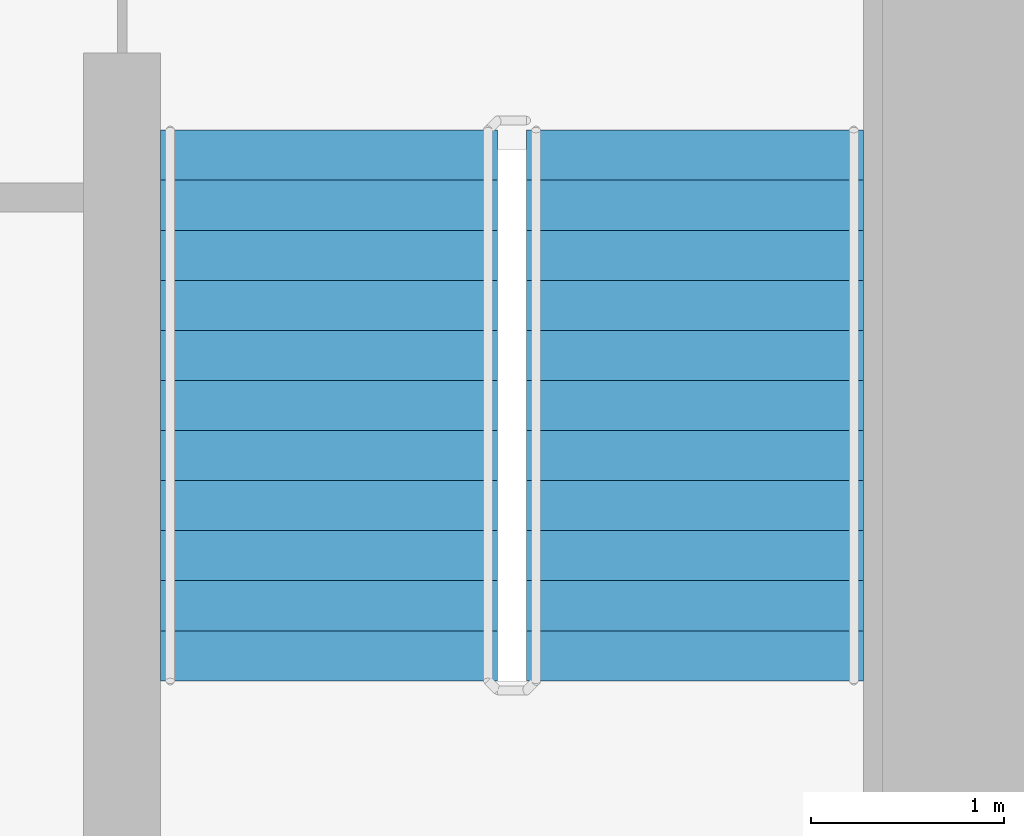
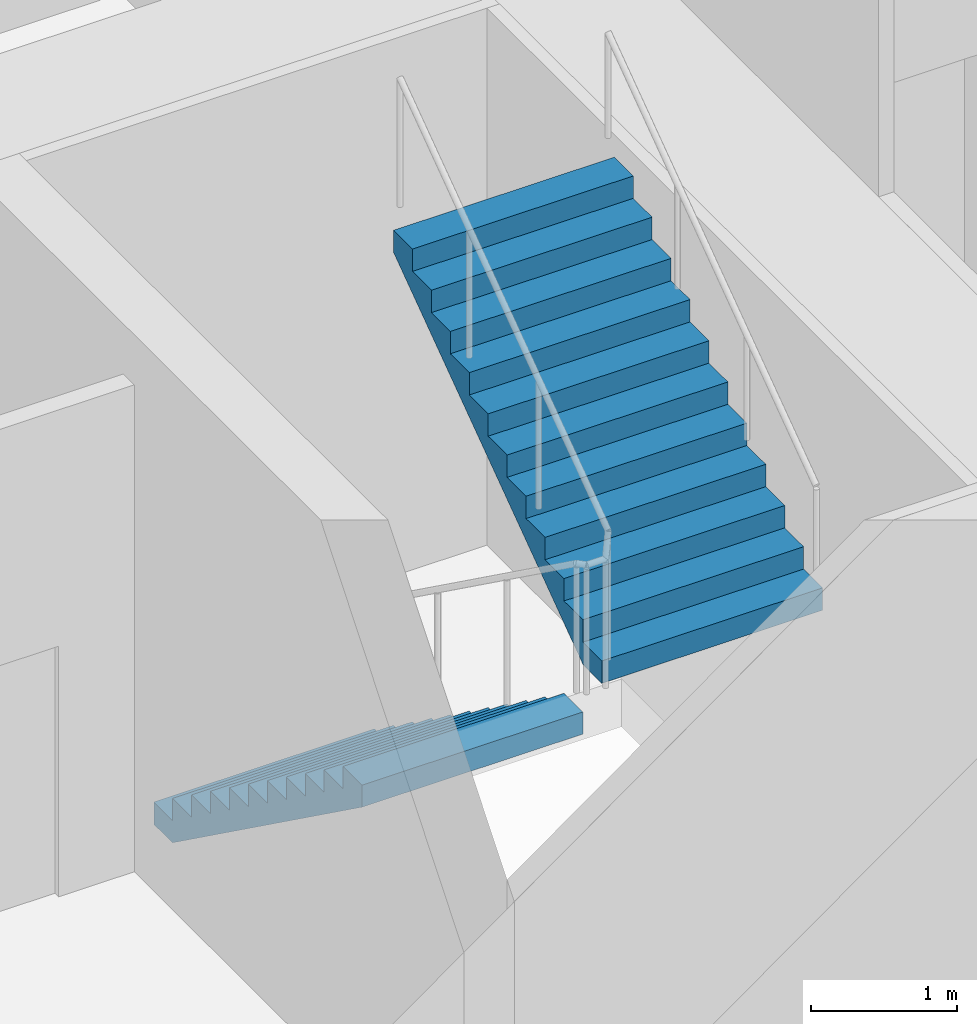
# One storey, part 21 of 27: 2 stair flights, 1 element without a shape of its own.
"""IFC4 building model written with IfcOpenShell, lengths in metres."""

import ifcopenshell
import ifcopenshell.guid

model = None  # the IFC model being written
_history = None  # IfcOwnerHistory: only IFC2X3 demands one
_inside = {}  # id of a spatial element -> (the spatial element, [elements in it])
_under = {}  # id of a project, library or spatial element -> (it, [spatial elements below it])
_declared = {}  # id of a project -> (the project, [libraries it declares])
_typed = {}  # id of a type object -> (the type object, [elements of that type])
_made_of = {}  # id of a material, layer set ... -> (it, [elements and type objects made of it])


def new_model(schema):
    """Start an empty IFC model of exactly this schema.

    Asked for "IFC4X3", IfcOpenShell would pick the latest addendum, in which some entities
    have other attributes; the version numbers below select the first issue.
    IFC2X3 requires an IfcOwnerHistory on every rooted entity: one is made here for all.
    """
    global model, _history
    if schema == "IFC4X3":
        model = ifcopenshell.file(schema_version=(4, 3, 0, 0))
    else:
        model = ifcopenshell.file(schema=schema)
    _inside.clear()
    _under.clear()
    _declared.clear()
    _typed.clear()
    _made_of.clear()
    _history = None
    if model.schema == "IFC2X3":
        org = make("IfcOrganization", Name="unknown")
        user = make(
            "IfcPersonAndOrganization",
            ThePerson=make("IfcPerson", FamilyName="unknown"),
            TheOrganization=org,
        )
        app = make(
            "IfcApplication",
            ApplicationDeveloper=org,
            Version="unknown",
            ApplicationFullName="unknown",
            ApplicationIdentifier="unknown",
        )
        _history = make(
            "IfcOwnerHistory",
            OwningUser=user,
            OwningApplication=app,
            ChangeAction="ADDED",
            CreationDate=0,
        )
    return model


def make(cls, **values):
    """One entity of the class cls with the attributes given. An attribute that is None is left unset."""
    return model.create_entity(
        cls, **{name: value for name, value in values.items() if value is not None}
    )


def rooted(cls, **values):
    """An entity with a GlobalId (a new one), such as an element, a storey or a relation."""
    return make(cls, GlobalId=ifcopenshell.guid.new(), OwnerHistory=_history, **values)


def si_unit(unit_type, name, prefix=None):
    """IfcSIUnit, for example si_unit("LENGTHUNIT", "METRE", prefix="MILLI")."""
    return make("IfcSIUnit", UnitType=unit_type, Prefix=prefix, Name=name)


def assignment(units):
    """IfcUnitAssignment: the units of a project."""
    return None if units is None else make("IfcUnitAssignment", Units=units)


def point(xyz):
    """IfcCartesianPoint."""
    return None if xyz is None else make("IfcCartesianPoint", Coordinates=xyz)


def direction(xyz):
    """IfcDirection."""
    return None if xyz is None else make("IfcDirection", DirectionRatios=xyz)


def frame(location, z_axis=None, x_axis=None):
    """IfcAxis2Placement3D, a coordinate frame: its origin and axes. An axis left out is left unset."""
    return make(
        "IfcAxis2Placement3D",
        Location=point(location),
        Axis=direction(z_axis),
        RefDirection=direction(x_axis),
    )


def origin():
    """The frame at (0, 0, 0) with its axes left unset."""
    return frame((0.0, 0.0, 0.0))


def place(relative_to, where):
    """IfcLocalPlacement: puts the frame where relative to a parent placement (None: the world)."""
    return make(
        "IfcLocalPlacement", PlacementRelTo=relative_to, RelativePlacement=where
    )


def context(
    kind, dimensions, precision=None, world=None, true_north=None, identifier=None
):
    """IfcGeometricRepresentationContext, for example the 3D "Model" context."""
    return make(
        "IfcGeometricRepresentationContext",
        ContextIdentifier=identifier,
        ContextType=kind,
        CoordinateSpaceDimension=dimensions,
        Precision=precision,
        WorldCoordinateSystem=world,
        TrueNorth=true_north,
    )


def subcontext(parent, identifier, kind, view, scale=None):
    """IfcGeometricRepresentationSubContext, for example "Body" below "Model"."""
    return make(
        "IfcGeometricRepresentationSubContext",
        ContextIdentifier=identifier,
        ContextType=kind,
        ParentContext=parent,
        TargetScale=scale,
        TargetView=view,
    )


def project(units=None, contexts=None):
    """IfcProject with its units and contexts."""
    return rooted(
        "IfcProject",
        Name="project",
        RepresentationContexts=contexts,
        UnitsInContext=assignment(units),
    )


def spatial(cls, under=None, at=None, **own):
    """A site, building, storey or space (cls), placed at a placement, below another one or the project."""
    s = rooted(cls, ObjectPlacement=at, **own)
    if under is not None:
        _under.setdefault(under.id(), (under, []))[1].append(s)
    return s


def faces_of(points, faces, orient=None, outer=None):
    """IfcFace entities. A face is a list of loops; a loop is a list of indices into points, from 0.

    orient and outer hold one flag for each loop. By default every Orientation is true, the
    first loop of a face is its IfcFaceOuterBound and the others are IfcFaceBound.
    """
    made = []
    for i, loops in enumerate(faces):
        bounds = []
        for j, loop in enumerate(loops):
            is_outer = j == 0 if outer is None else outer[i][j]
            bounds.append(
                make(
                    "IfcFaceOuterBound" if is_outer else "IfcFaceBound",
                    Bound=make("IfcPolyLoop", Polygon=[points[k] for k in loop]),
                    Orientation=True if orient is None else orient[i][j],
                )
            )
        made.append(make("IfcFace", Bounds=bounds))
    return made


def faceted_brep(points, faces, orient=None, outer=None, voids=None):
    """IfcFacetedBrep: a solid bounded by flat faces; with voids (closed shells), ...WithVoids."""
    shared = [point(p) for p in points]
    hull = make("IfcClosedShell", CfsFaces=faces_of(shared, faces, orient, outer))
    if voids is None:
        return make("IfcFacetedBrep", Outer=hull)
    return make(
        "IfcFacetedBrepWithVoids",
        Outer=hull,
        Voids=[
            make(cls, CfsFaces=faces_of(shared, fs, o, b)) for cls, fs, o, b in voids
        ],
    )


def shape(context_of_items, identifier, shape_type, items):
    """IfcShapeRepresentation: the items that make up one representation, for example the "Body"."""
    return make(
        "IfcShapeRepresentation",
        ContextOfItems=context_of_items,
        RepresentationIdentifier=identifier,
        RepresentationType=shape_type,
        Items=items,
    )


def material(Name=None, Category=None):
    """IfcMaterial."""
    return make("IfcMaterial", Name=Name, Category=Category)


def made_of(thing, what):
    """Note that an element or type object is made of a material, layer set ...; save() writes the relation."""
    if what is not None:
        _made_of.setdefault(what.id(), (what, []))[1].append(thing)
    return thing


def type_object(cls, material=None, **own):
    """A type object (cls), such as IfcWallType, which elements share."""
    return made_of(rooted(cls, **own), material)


def element(
    cls,
    number,
    at=None,
    inside=None,
    cuts=None,
    type_object=None,
    material=None,
    context=None,
    identifier="Body",
    shape_type=None,
    held_by="IfcProductDefinitionShape",
    body=None,
    shapes=None,
    **own,
):
    """One element of the class cls, such as IfcWall. Its Tag is "e" and its number.

    at: its placement. inside: the storey or other place that contains it. cuts: it is an
    opening in that element (IfcRelVoidsElement). A single representation is given by context,
    identifier, shape_type and body (its items); several are given by shapes. held_by: the class
    of the entity that holds the representations. save() writes the other relations.
    """
    e = rooted(cls, Tag="e%d" % number, ObjectPlacement=at, **own)
    if body is not None:
        shapes = [shape(context, identifier, shape_type, body)]
    if shapes is not None:
        e.Representation = make(held_by, Representations=shapes)
    if inside is not None:
        _inside.setdefault(inside.id(), (inside, []))[1].append(e)
    if cuts is not None:
        rooted(
            "IfcRelVoidsElement", RelatingBuildingElement=cuts, RelatedOpeningElement=e
        )
    if type_object is not None:
        _typed.setdefault(type_object.id(), (type_object, []))[1].append(e)
    return made_of(e, material)


def aggregate(whole, parts):
    """IfcRelAggregates: a whole, such as a stair, and the parts it consists of."""
    return rooted("IfcRelAggregates", RelatingObject=whole, RelatedObjects=parts)


def save(model, path):
    """Write the relations noted so far, then the file.

    IfcRelAggregates (storeys below a building ...), IfcRelContainedInSpatialStructure (elements
    in a storey), IfcRelDefinesByType, IfcRelAssociatesMaterial and IfcRelDeclares: one each for
    every whole, place, type object, material and project.
    """
    for whole, parts in _under.values():
        aggregate(whole, parts)
    for where, things in _inside.values():
        rooted(
            "IfcRelContainedInSpatialStructure",
            RelatedElements=things,
            RelatingStructure=where,
        )
    for kind, things in _typed.values():
        rooted("IfcRelDefinesByType", RelatedObjects=things, RelatingType=kind)
    for what, things in _made_of.values():
        rooted("IfcRelAssociatesMaterial", RelatedObjects=things, RelatingMaterial=what)
    for by, libraries in _declared.values():
        rooted("IfcRelDeclares", RelatingContext=by, RelatedDefinitions=libraries)
    model.write(path)


model = new_model("IFC4")

# Units and contexts
model_context = context("Model", 3, precision=1e-05, world=origin(), true_north=direction((0.0, 1.0)))
body_context = subcontext(model_context, "Body", "Model", "MODEL_VIEW")
ifc_project = project(units=[si_unit("LENGTHUNIT", "METRE"), si_unit("AREAUNIT", "SQUARE_METRE"), si_unit("VOLUMEUNIT", "CUBIC_METRE"), si_unit("PLANEANGLEUNIT", "RADIAN"), si_unit("MASSUNIT", "GRAM", prefix="KILO")], contexts=[model_context])

# Site, building, storey
site_placement = place(None, origin())
site = spatial("IfcSite", under=ifc_project, at=site_placement, CompositionType="ELEMENT")
building_placement = place(site_placement, origin())
building = spatial("IfcBuilding", under=site, at=building_placement, Name="Ipe Terrace Towers", CompositionType="ELEMENT")
storey_placement = place(building_placement, frame((0.0, 0.0, 72.10009765625)))
storey = spatial("IfcBuildingStorey", under=building, at=storey_placement, Name="L19", CompositionType="ELEMENT", Elevation=72.10009765625)

# Stair, stair flights
ifc_material_1 = material(Name="Concrete C30/37", Category="concrete")
stair_type = type_object("IfcStairType", Name="Protected exit stair", PredefinedType="HALF_TURN_STAIR", material=ifc_material_1)
stair_placement = place(storey_placement, origin())
stair = element("IfcStair", 1, at=stair_placement, inside=storey, type_object=stair_type, Name="L19 Exit stair T2-C2", PredefinedType="HALF_TURN_STAIR")
ifc_material_2 = material(Name="Concrete C30/37", Category="concrete")
stair_flight_type = type_object("IfcStairFlightType", Name="Exit stair flight 1750", PredefinedType="STRAIGHT", material=ifc_material_2)
stair_flight_1_placement = place(storey_placement, frame((38.77490234375, -9.699951171875, 0.0), z_axis=(0.0, 0.0, 1.0), x_axis=(0.0, -1.0, 0.0)))
stair_flight_1 = element("IfcStairFlight", 2, at=stair_flight_1_placement, type_object=stair_flight_type, Name="T2-ST2 flight 1", NumberOfRisers=12, NumberOfTreads=11, PredefinedType="STRAIGHT", RiserHeight=0.1875, TreadLength=0.26, context=body_context, shape_type="Brep", body=[
    faceted_brep([(0.25634765625, -0.875, 0.0), (2.860107421875, -0.875, 1.877685546875), (2.860107421875, -0.875, 2.0625), (2.60009765625, -0.875, 2.0625), (2.60009765625, -0.875, 1.875), (2.340087890625, -0.875, 1.875), (2.340087890625, -0.875, 1.6875), (2.080078125, -0.875, 1.6875), (2.080078125, -0.875, 1.5), (1.820068359375, -0.875, 1.5), (1.820068359375, -0.875, 1.3125), (1.56005859375, -0.875, 1.3125), (1.56005859375, -0.875, 1.125), (1.300048828125, -0.875, 1.125), (1.300048828125, -0.875, 0.9375), (1.0400390625, -0.875, 0.9375), (1.0400390625, -0.875, 0.75), (0.780029296875, -0.875, 0.75), (0.780029296875, -0.875, 0.5625), (0.52001953125, -0.875, 0.5625), (0.52001953125, -0.875, 0.375), (0.260009765625, -0.875, 0.375), (0.260009765625, -0.875, 0.1875), (0.0, -0.875, 0.1875), (0.0, -0.875, 0.0), (0.0, 0.875, 0.0), (0.0, 0.875, 0.1875), (0.260009765625, 0.875, 0.1875), (0.260009765625, 0.875, 0.375), (0.52001953125, 0.875, 0.375), (0.52001953125, 0.875, 0.5625), (0.780029296875, 0.875, 0.5625), (0.780029296875, 0.875, 0.75), (1.0400390625, 0.875, 0.75), (1.0400390625, 0.875, 0.9375), (1.300048828125, 0.875, 0.9375), (1.300048828125, 0.875, 1.125), (1.56005859375, 0.875, 1.125), (1.56005859375, 0.875, 1.3125), (1.820068359375, 0.875, 1.3125), (1.820068359375, 0.875, 1.5), (2.080078125, 0.875, 1.5), (2.080078125, 0.875, 1.6875), (2.340087890625, 0.875, 1.6875), (2.340087890625, 0.875, 1.875), (2.60009765625, 0.875, 1.875), (2.60009765625, 0.875, 2.0625), (2.860107421875, 0.875, 2.0625), (2.860107421875, 0.875, 1.877685546875), (0.25634765625, 0.875, 0.0), (0.0, -0.300048828125, 0.1875), (0.0, -0.1201171875, 0.1875), (0.0, -0.06005859375, 0.1875), (0.0, -0.030029296875, 0.1875), (0.0, -0.010009765625, 0.1875), (0.0, 0.0, 0.1875), (0.0, 0.010009765625, 0.1875), (0.0, 0.030029296875, 0.1875), (0.0, 0.06005859375, 0.1875), (0.0, 0.1201171875, 0.1875), (0.0, 0.300048828125, 0.1875), (0.0, 0.300048828125, 0.0), (0.0, 0.1201171875, 0.0), (0.0, 0.06005859375, 0.0), (0.0, 0.030029296875, 0.0), (0.0, 0.010009765625, 0.0), (0.0, 0.0, 0.0), (0.0, -0.010009765625, 0.0), (0.0, -0.030029296875, 0.0), (0.0, -0.06005859375, 0.0), (0.0, -0.1201171875, 0.0), (0.0, -0.300048828125, 0.0), (0.260009765625, -0.300048828125, 0.1875), (0.260009765625, -0.1201171875, 0.1875), (0.260009765625, -0.06005859375, 0.1875), (0.260009765625, -0.030029296875, 0.1875), (0.260009765625, -0.010009765625, 0.1875), (0.260009765625, 0.0, 0.1875), (0.260009765625, 0.010009765625, 0.1875), (0.260009765625, 0.030029296875, 0.1875), (0.260009765625, 0.06005859375, 0.1875), (0.260009765625, 0.1201171875, 0.1875), (0.260009765625, 0.300048828125, 0.1875), (0.260009765625, -0.300048828125, 0.375), (0.260009765625, -0.1201171875, 0.375), (0.260009765625, -0.06005859375, 0.375), (0.260009765625, -0.030029296875, 0.375), (0.260009765625, -0.010009765625, 0.375), (0.260009765625, 0.0, 0.375), (0.260009765625, 0.010009765625, 0.375), (0.260009765625, 0.030029296875, 0.375), (0.260009765625, 0.06005859375, 0.375), (0.260009765625, 0.1201171875, 0.375), (0.260009765625, 0.300048828125, 0.375), (0.52001953125, -0.300048828125, 0.375), (0.52001953125, -0.1201171875, 0.375), (0.52001953125, -0.06005859375, 0.375), (0.52001953125, -0.030029296875, 0.375), (0.52001953125, -0.010009765625, 0.375), (0.52001953125, 0.0, 0.375), (0.52001953125, 0.010009765625, 0.375), (0.52001953125, 0.030029296875, 0.375), (0.52001953125, 0.06005859375, 0.375), (0.52001953125, 0.1201171875, 0.375), (0.52001953125, 0.300048828125, 0.375), (0.52001953125, -0.300048828125, 0.5625), (0.52001953125, -0.1201171875, 0.5625), (0.52001953125, -0.06005859375, 0.5625), (0.52001953125, -0.030029296875, 0.5625), (0.52001953125, -0.010009765625, 0.5625), (0.52001953125, 0.0, 0.5625), (0.52001953125, 0.010009765625, 0.5625), (0.52001953125, 0.030029296875, 0.5625), (0.52001953125, 0.06005859375, 0.5625), (0.52001953125, 0.1201171875, 0.5625), (0.52001953125, 0.300048828125, 0.5625), (0.780029296875, -0.300048828125, 0.5625), (0.780029296875, -0.1201171875, 0.5625), (0.780029296875, -0.06005859375, 0.5625), (0.780029296875, -0.030029296875, 0.5625), (0.780029296875, -0.010009765625, 0.5625), (0.780029296875, 0.0, 0.5625), (0.780029296875, 0.010009765625, 0.5625), (0.780029296875, 0.030029296875, 0.5625), (0.780029296875, 0.06005859375, 0.5625), (0.780029296875, 0.1201171875, 0.5625), (0.780029296875, 0.300048828125, 0.5625), (0.780029296875, -0.300048828125, 0.75), (0.780029296875, -0.1201171875, 0.75), (0.780029296875, -0.06005859375, 0.75), (0.780029296875, -0.030029296875, 0.75), (0.780029296875, -0.010009765625, 0.75), (0.780029296875, 0.0, 0.75), (0.780029296875, 0.010009765625, 0.75), (0.780029296875, 0.030029296875, 0.75), (0.780029296875, 0.06005859375, 0.75), (0.780029296875, 0.1201171875, 0.75), (0.780029296875, 0.300048828125, 0.75), (1.0400390625, -0.300048828125, 0.75), (1.0400390625, -0.1201171875, 0.75), (1.0400390625, -0.06005859375, 0.75), (1.0400390625, -0.030029296875, 0.75), (1.0400390625, -0.010009765625, 0.75), (1.0400390625, 0.0, 0.75), (1.0400390625, 0.010009765625, 0.75), (1.0400390625, 0.030029296875, 0.75), (1.0400390625, 0.06005859375, 0.75), (1.0400390625, 0.1201171875, 0.75), (1.0400390625, 0.300048828125, 0.75), (1.0400390625, -0.300048828125, 0.9375), (1.0400390625, -0.1201171875, 0.9375), (1.0400390625, -0.06005859375, 0.9375), (1.0400390625, -0.030029296875, 0.9375), (1.0400390625, -0.010009765625, 0.9375), (1.0400390625, 0.0, 0.9375), (1.0400390625, 0.010009765625, 0.9375), (1.0400390625, 0.030029296875, 0.9375), (1.0400390625, 0.06005859375, 0.9375), (1.0400390625, 0.1201171875, 0.9375), (1.0400390625, 0.300048828125, 0.9375), (1.300048828125, -0.300048828125, 0.9375), (1.300048828125, -0.1201171875, 0.9375), (1.300048828125, -0.06005859375, 0.9375), (1.300048828125, -0.030029296875, 0.9375), (1.300048828125, -0.010009765625, 0.9375), (1.300048828125, 0.0, 0.9375), (1.300048828125, 0.010009765625, 0.9375), (1.300048828125, 0.030029296875, 0.9375), (1.300048828125, 0.06005859375, 0.9375), (1.300048828125, 0.1201171875, 0.9375), (1.300048828125, 0.300048828125, 0.9375), (1.300048828125, -0.300048828125, 1.125), (1.300048828125, -0.1201171875, 1.125), (1.300048828125, -0.06005859375, 1.125), (1.300048828125, -0.030029296875, 1.125), (1.300048828125, -0.010009765625, 1.125), (1.300048828125, 0.0, 1.125), (1.300048828125, 0.010009765625, 1.125), (1.300048828125, 0.030029296875, 1.125), (1.300048828125, 0.06005859375, 1.125), (1.300048828125, 0.1201171875, 1.125), (1.300048828125, 0.300048828125, 1.125), (1.56005859375, -0.300048828125, 1.125), (1.56005859375, -0.1201171875, 1.125), (1.56005859375, -0.06005859375, 1.125), (1.56005859375, -0.030029296875, 1.125), (1.56005859375, -0.010009765625, 1.125), (1.56005859375, 0.0, 1.125), (1.56005859375, 0.010009765625, 1.125), (1.56005859375, 0.030029296875, 1.125), (1.56005859375, 0.06005859375, 1.125), (1.56005859375, 0.1201171875, 1.125), (1.56005859375, 0.300048828125, 1.125), (1.56005859375, -0.300048828125, 1.3125), (1.56005859375, -0.1201171875, 1.3125), (1.56005859375, -0.06005859375, 1.3125), (1.56005859375, -0.030029296875, 1.3125), (1.56005859375, -0.010009765625, 1.3125), (1.56005859375, 0.0, 1.3125), (1.56005859375, 0.010009765625, 1.3125), (1.56005859375, 0.030029296875, 1.3125), (1.56005859375, 0.06005859375, 1.3125), (1.56005859375, 0.1201171875, 1.3125), (1.56005859375, 0.300048828125, 1.3125), (1.820068359375, -0.300048828125, 1.3125), (1.820068359375, -0.1201171875, 1.3125), (1.820068359375, -0.06005859375, 1.3125), (1.820068359375, -0.030029296875, 1.3125), (1.820068359375, -0.010009765625, 1.3125), (1.820068359375, 0.0, 1.3125), (1.820068359375, 0.010009765625, 1.3125), (1.820068359375, 0.030029296875, 1.3125), (1.820068359375, 0.06005859375, 1.3125), (1.820068359375, 0.1201171875, 1.3125), (1.820068359375, 0.300048828125, 1.3125), (1.820068359375, -0.300048828125, 1.5), (1.820068359375, -0.1201171875, 1.5), (1.820068359375, -0.06005859375, 1.5), (1.820068359375, -0.030029296875, 1.5), (1.820068359375, -0.010009765625, 1.5), (1.820068359375, 0.0, 1.5), (1.820068359375, 0.010009765625, 1.5), (1.820068359375, 0.030029296875, 1.5), (1.820068359375, 0.06005859375, 1.5), (1.820068359375, 0.1201171875, 1.5), (1.820068359375, 0.300048828125, 1.5), (2.080078125, -0.300048828125, 1.5), (2.080078125, -0.1201171875, 1.5), (2.080078125, -0.06005859375, 1.5), (2.080078125, -0.030029296875, 1.5), (2.080078125, -0.010009765625, 1.5), (2.080078125, 0.0, 1.5), (2.080078125, 0.010009765625, 1.5), (2.080078125, 0.030029296875, 1.5), (2.080078125, 0.06005859375, 1.5), (2.080078125, 0.1201171875, 1.5), (2.080078125, 0.300048828125, 1.5), (2.080078125, -0.300048828125, 1.6875), (2.080078125, -0.1201171875, 1.6875), (2.080078125, -0.06005859375, 1.6875), (2.080078125, -0.030029296875, 1.6875), (2.080078125, -0.010009765625, 1.6875), (2.080078125, 0.0, 1.6875), (2.080078125, 0.010009765625, 1.6875), (2.080078125, 0.030029296875, 1.6875), (2.080078125, 0.06005859375, 1.6875), (2.080078125, 0.1201171875, 1.6875), (2.080078125, 0.300048828125, 1.6875), (2.340087890625, -0.300048828125, 1.6875), (2.340087890625, -0.1201171875, 1.6875), (2.340087890625, -0.06005859375, 1.6875), (2.340087890625, -0.030029296875, 1.6875), (2.340087890625, -0.010009765625, 1.6875), (2.340087890625, 0.0, 1.6875), (2.340087890625, 0.010009765625, 1.6875), (2.340087890625, 0.030029296875, 1.6875), (2.340087890625, 0.06005859375, 1.6875), (2.340087890625, 0.1201171875, 1.6875), (2.340087890625, 0.300048828125, 1.6875), (2.340087890625, -0.300048828125, 1.875), (2.340087890625, -0.1201171875, 1.875), (2.340087890625, -0.06005859375, 1.875), (2.340087890625, -0.030029296875, 1.875), (2.340087890625, -0.010009765625, 1.875), (2.340087890625, 0.0, 1.875), (2.340087890625, 0.010009765625, 1.875), (2.340087890625, 0.030029296875, 1.875), (2.340087890625, 0.06005859375, 1.875), (2.340087890625, 0.1201171875, 1.875), (2.340087890625, 0.300048828125, 1.875), (2.60009765625, -0.300048828125, 1.875), (2.60009765625, -0.1201171875, 1.875), (2.60009765625, -0.06005859375, 1.875), (2.60009765625, -0.030029296875, 1.875), (2.60009765625, -0.010009765625, 1.875), (2.60009765625, 0.0, 1.875), (2.60009765625, 0.010009765625, 1.875), (2.60009765625, 0.030029296875, 1.875), (2.60009765625, 0.06005859375, 1.875), (2.60009765625, 0.1201171875, 1.875), (2.60009765625, 0.300048828125, 1.875), (2.60009765625, -0.300048828125, 2.0625), (2.60009765625, -0.1201171875, 2.0625), (2.60009765625, -0.06005859375, 2.0625), (2.60009765625, -0.030029296875, 2.0625), (2.60009765625, -0.010009765625, 2.0625), (2.60009765625, 0.0, 2.0625), (2.60009765625, 0.010009765625, 2.0625), (2.60009765625, 0.030029296875, 2.0625), (2.60009765625, 0.06005859375, 2.0625), (2.60009765625, 0.1201171875, 2.0625), (2.60009765625, 0.300048828125, 2.0625), (2.860107421875, -0.300048828125, 2.0625), (2.860107421875, -0.1201171875, 2.0625), (2.860107421875, -0.06005859375, 2.0625), (2.860107421875, -0.030029296875, 2.0625), (2.860107421875, -0.010009765625, 2.0625), (2.860107421875, 0.0, 2.0625), (2.860107421875, 0.010009765625, 2.0625), (2.860107421875, 0.030029296875, 2.0625), (2.860107421875, 0.06005859375, 2.0625), (2.860107421875, 0.1201171875, 2.0625), (2.860107421875, 0.300048828125, 2.0625), (2.860107421875, -0.300048828125, 1.877685546875), (2.860107421875, -0.1201171875, 1.877685546875), (2.860107421875, -0.06005859375, 1.877685546875), (2.860107421875, -0.030029296875, 1.877685546875), (2.860107421875, -0.010009765625, 1.877685546875), (2.860107421875, 0.0, 1.877685546875), (2.860107421875, 0.010009765625, 1.877685546875), (2.860107421875, 0.030029296875, 1.877685546875), (2.860107421875, 0.06005859375, 1.877685546875), (2.860107421875, 0.1201171875, 1.877685546875), (2.860107421875, 0.300048828125, 1.877685546875), (0.25634765625, -0.300048828125, 0.0), (0.25634765625, -0.1201171875, 0.0), (0.25634765625, -0.06005859375, 0.0), (0.25634765625, -0.030029296875, 0.0), (0.25634765625, -0.010009765625, 0.0), (0.25634765625, 0.0, 0.0), (0.25634765625, 0.010009765625, 0.0), (0.25634765625, 0.030029296875, 0.0), (0.25634765625, 0.06005859375, 0.0), (0.25634765625, 0.1201171875, 0.0), (0.25634765625, 0.300048828125, 0.0)], [[[0, 1, 2, 3, 4, 5, 6, 7, 8, 9, 10, 11, 12, 13, 14, 15, 16, 17, 18, 19, 20, 21, 22, 23, 24]], [[25, 26, 27, 28, 29, 30, 31, 32, 33, 34, 35, 36, 37, 38, 39, 40, 41, 42, 43, 44, 45, 46, 47, 48, 49]], [[23, 50, 51, 52, 53, 54, 55, 56, 57, 58, 59, 60, 26, 25, 61, 62, 63, 64, 65, 66, 67, 68, 69, 70, 71, 24]], [[22, 72, 73, 74, 75, 76, 77, 78, 79, 80, 81, 82, 27, 26, 60, 59, 58, 57, 56, 55, 54, 53, 52, 51, 50, 23]], [[21, 83, 84, 85, 86, 87, 88, 89, 90, 91, 92, 93, 28, 27, 82, 81, 80, 79, 78, 77, 76, 75, 74, 73, 72, 22]], [[20, 94, 95, 96, 97, 98, 99, 100, 101, 102, 103, 104, 29, 28, 93, 92, 91, 90, 89, 88, 87, 86, 85, 84, 83, 21]], [[19, 105, 106, 107, 108, 109, 110, 111, 112, 113, 114, 115, 30, 29, 104, 103, 102, 101, 100, 99, 98, 97, 96, 95, 94, 20]], [[18, 116, 117, 118, 119, 120, 121, 122, 123, 124, 125, 126, 31, 30, 115, 114, 113, 112, 111, 110, 109, 108, 107, 106, 105, 19]], [[17, 127, 128, 129, 130, 131, 132, 133, 134, 135, 136, 137, 32, 31, 126, 125, 124, 123, 122, 121, 120, 119, 118, 117, 116, 18]], [[16, 138, 139, 140, 141, 142, 143, 144, 145, 146, 147, 148, 33, 32, 137, 136, 135, 134, 133, 132, 131, 130, 129, 128, 127, 17]], [[15, 149, 150, 151, 152, 153, 154, 155, 156, 157, 158, 159, 34, 33, 148, 147, 146, 145, 144, 143, 142, 141, 140, 139, 138, 16]], [[14, 160, 161, 162, 163, 164, 165, 166, 167, 168, 169, 170, 35, 34, 159, 158, 157, 156, 155, 154, 153, 152, 151, 150, 149, 15]], [[13, 171, 172, 173, 174, 175, 176, 177, 178, 179, 180, 181, 36, 35, 170, 169, 168, 167, 166, 165, 164, 163, 162, 161, 160, 14]], [[12, 182, 183, 184, 185, 186, 187, 188, 189, 190, 191, 192, 37, 36, 181, 180, 179, 178, 177, 176, 175, 174, 173, 172, 171, 13]], [[11, 193, 194, 195, 196, 197, 198, 199, 200, 201, 202, 203, 38, 37, 192, 191, 190, 189, 188, 187, 186, 185, 184, 183, 182, 12]], [[10, 204, 205, 206, 207, 208, 209, 210, 211, 212, 213, 214, 39, 38, 203, 202, 201, 200, 199, 198, 197, 196, 195, 194, 193, 11]], [[9, 215, 216, 217, 218, 219, 220, 221, 222, 223, 224, 225, 40, 39, 214, 213, 212, 211, 210, 209, 208, 207, 206, 205, 204, 10]], [[8, 226, 227, 228, 229, 230, 231, 232, 233, 234, 235, 236, 41, 40, 225, 224, 223, 222, 221, 220, 219, 218, 217, 216, 215, 9]], [[7, 237, 238, 239, 240, 241, 242, 243, 244, 245, 246, 247, 42, 41, 236, 235, 234, 233, 232, 231, 230, 229, 228, 227, 226, 8]], [[6, 248, 249, 250, 251, 252, 253, 254, 255, 256, 257, 258, 43, 42, 247, 246, 245, 244, 243, 242, 241, 240, 239, 238, 237, 7]], [[5, 259, 260, 261, 262, 263, 264, 265, 266, 267, 268, 269, 44, 43, 258, 257, 256, 255, 254, 253, 252, 251, 250, 249, 248, 6]], [[4, 270, 271, 272, 273, 274, 275, 276, 277, 278, 279, 280, 45, 44, 269, 268, 267, 266, 265, 264, 263, 262, 261, 260, 259, 5]], [[3, 281, 282, 283, 284, 285, 286, 287, 288, 289, 290, 291, 46, 45, 280, 279, 278, 277, 276, 275, 274, 273, 272, 271, 270, 4]], [[2, 292, 293, 294, 295, 296, 297, 298, 299, 300, 301, 302, 47, 46, 291, 290, 289, 288, 287, 286, 285, 284, 283, 282, 281, 3]], [[1, 303, 304, 305, 306, 307, 308, 309, 310, 311, 312, 313, 48, 47, 302, 301, 300, 299, 298, 297, 296, 295, 294, 293, 292, 2]], [[0, 314, 315, 316, 317, 318, 319, 320, 321, 322, 323, 324, 49, 48, 313, 312, 311, 310, 309, 308, 307, 306, 305, 304, 303, 1]], [[24, 71, 70, 69, 68, 67, 66, 65, 64, 63, 62, 61, 25, 49, 324, 323, 322, 321, 320, 319, 318, 317, 316, 315, 314, 0]]]),
])
stair_flight_2_placement = place(storey_placement, frame((40.675048828125, -12.56005859375, 2.25), z_axis=(0.0, 0.0, 1.0), x_axis=(0.0, 1.0, 0.0)))
stair_flight_2 = element("IfcStairFlight", 3, at=stair_flight_2_placement, type_object=stair_flight_type, Name="T2-ST2 flight 2", NumberOfRisers=12, NumberOfTreads=11, PredefinedType="STRAIGHT", RiserHeight=0.1875, TreadLength=0.26, context=body_context, shape_type="Brep", body=[
    faceted_brep([(0.25634765625, -0.875, 0.0), (2.860107421875, -0.875, 1.877685546875), (2.860107421875, -0.875, 2.0625), (2.60009765625, -0.875, 2.0625), (2.60009765625, -0.875, 1.875), (2.340087890625, -0.875, 1.875), (2.340087890625, -0.875, 1.6875), (2.080078125, -0.875, 1.6875), (2.080078125, -0.875, 1.5), (1.820068359375, -0.875, 1.5), (1.820068359375, -0.875, 1.3125), (1.56005859375, -0.875, 1.3125), (1.56005859375, -0.875, 1.125), (1.300048828125, -0.875, 1.125), (1.300048828125, -0.875, 0.9375), (1.0400390625, -0.875, 0.9375), (1.0400390625, -0.875, 0.75), (0.780029296875, -0.875, 0.75), (0.780029296875, -0.875, 0.5625), (0.52001953125, -0.875, 0.5625), (0.52001953125, -0.875, 0.375), (0.260009765625, -0.875, 0.375), (0.260009765625, -0.875, 0.1875), (0.0, -0.875, 0.1875), (0.0, -0.875, 0.0), (0.0, 0.875, 0.0), (0.0, 0.875, 0.1875), (0.260009765625, 0.875, 0.1875), (0.260009765625, 0.875, 0.375), (0.52001953125, 0.875, 0.375), (0.52001953125, 0.875, 0.5625), (0.780029296875, 0.875, 0.5625), (0.780029296875, 0.875, 0.75), (1.0400390625, 0.875, 0.75), (1.0400390625, 0.875, 0.9375), (1.300048828125, 0.875, 0.9375), (1.300048828125, 0.875, 1.125), (1.56005859375, 0.875, 1.125), (1.56005859375, 0.875, 1.3125), (1.820068359375, 0.875, 1.3125), (1.820068359375, 0.875, 1.5), (2.080078125, 0.875, 1.5), (2.080078125, 0.875, 1.6875), (2.340087890625, 0.875, 1.6875), (2.340087890625, 0.875, 1.875), (2.60009765625, 0.875, 1.875), (2.60009765625, 0.875, 2.0625), (2.860107421875, 0.875, 2.0625), (2.860107421875, 0.875, 1.877685546875), (0.25634765625, 0.875, 0.0), (0.0, -0.300048828125, 0.1875), (0.0, -0.1201171875, 0.1875), (0.0, -0.06005859375, 0.1875), (0.0, -0.030029296875, 0.1875), (0.0, -0.010009765625, 0.1875), (0.0, 0.0, 0.1875), (0.0, 0.010009765625, 0.1875), (0.0, 0.030029296875, 0.1875), (0.0, 0.06005859375, 0.1875), (0.0, 0.1201171875, 0.1875), (0.0, 0.300048828125, 0.1875), (0.0, 0.300048828125, 0.0), (0.0, 0.1201171875, 0.0), (0.0, 0.06005859375, 0.0), (0.0, 0.030029296875, 0.0), (0.0, 0.010009765625, 0.0), (0.0, 0.0, 0.0), (0.0, -0.010009765625, 0.0), (0.0, -0.030029296875, 0.0), (0.0, -0.06005859375, 0.0), (0.0, -0.1201171875, 0.0), (0.0, -0.300048828125, 0.0), (0.260009765625, -0.300048828125, 0.1875), (0.260009765625, -0.1201171875, 0.1875), (0.260009765625, -0.06005859375, 0.1875), (0.260009765625, -0.030029296875, 0.1875), (0.260009765625, -0.010009765625, 0.1875), (0.260009765625, 0.0, 0.1875), (0.260009765625, 0.010009765625, 0.1875), (0.260009765625, 0.030029296875, 0.1875), (0.260009765625, 0.06005859375, 0.1875), (0.260009765625, 0.1201171875, 0.1875), (0.260009765625, 0.300048828125, 0.1875), (0.260009765625, -0.300048828125, 0.375), (0.260009765625, -0.1201171875, 0.375), (0.260009765625, -0.06005859375, 0.375), (0.260009765625, -0.030029296875, 0.375), (0.260009765625, -0.010009765625, 0.375), (0.260009765625, 0.0, 0.375), (0.260009765625, 0.010009765625, 0.375), (0.260009765625, 0.030029296875, 0.375), (0.260009765625, 0.06005859375, 0.375), (0.260009765625, 0.1201171875, 0.375), (0.260009765625, 0.300048828125, 0.375), (0.52001953125, -0.300048828125, 0.375), (0.52001953125, -0.1201171875, 0.375), (0.52001953125, -0.06005859375, 0.375), (0.52001953125, -0.030029296875, 0.375), (0.52001953125, -0.010009765625, 0.375), (0.52001953125, 0.0, 0.375), (0.52001953125, 0.010009765625, 0.375), (0.52001953125, 0.030029296875, 0.375), (0.52001953125, 0.06005859375, 0.375), (0.52001953125, 0.1201171875, 0.375), (0.52001953125, 0.300048828125, 0.375), (0.52001953125, -0.300048828125, 0.5625), (0.52001953125, -0.1201171875, 0.5625), (0.52001953125, -0.06005859375, 0.5625), (0.52001953125, -0.030029296875, 0.5625), (0.52001953125, -0.010009765625, 0.5625), (0.52001953125, 0.0, 0.5625), (0.52001953125, 0.010009765625, 0.5625), (0.52001953125, 0.030029296875, 0.5625), (0.52001953125, 0.06005859375, 0.5625), (0.52001953125, 0.1201171875, 0.5625), (0.52001953125, 0.300048828125, 0.5625), (0.780029296875, -0.300048828125, 0.5625), (0.780029296875, -0.1201171875, 0.5625), (0.780029296875, -0.06005859375, 0.5625), (0.780029296875, -0.030029296875, 0.5625), (0.780029296875, -0.010009765625, 0.5625), (0.780029296875, 0.0, 0.5625), (0.780029296875, 0.010009765625, 0.5625), (0.780029296875, 0.030029296875, 0.5625), (0.780029296875, 0.06005859375, 0.5625), (0.780029296875, 0.1201171875, 0.5625), (0.780029296875, 0.300048828125, 0.5625), (0.780029296875, -0.300048828125, 0.75), (0.780029296875, -0.1201171875, 0.75), (0.780029296875, -0.06005859375, 0.75), (0.780029296875, -0.030029296875, 0.75), (0.780029296875, -0.010009765625, 0.75), (0.780029296875, 0.0, 0.75), (0.780029296875, 0.010009765625, 0.75), (0.780029296875, 0.030029296875, 0.75), (0.780029296875, 0.06005859375, 0.75), (0.780029296875, 0.1201171875, 0.75), (0.780029296875, 0.300048828125, 0.75), (1.0400390625, -0.300048828125, 0.75), (1.0400390625, -0.1201171875, 0.75), (1.0400390625, -0.06005859375, 0.75), (1.0400390625, -0.030029296875, 0.75), (1.0400390625, -0.010009765625, 0.75), (1.0400390625, 0.0, 0.75), (1.0400390625, 0.010009765625, 0.75), (1.0400390625, 0.030029296875, 0.75), (1.0400390625, 0.06005859375, 0.75), (1.0400390625, 0.1201171875, 0.75), (1.0400390625, 0.300048828125, 0.75), (1.0400390625, -0.300048828125, 0.9375), (1.0400390625, -0.1201171875, 0.9375), (1.0400390625, -0.06005859375, 0.9375), (1.0400390625, -0.030029296875, 0.9375), (1.0400390625, -0.010009765625, 0.9375), (1.0400390625, 0.0, 0.9375), (1.0400390625, 0.010009765625, 0.9375), (1.0400390625, 0.030029296875, 0.9375), (1.0400390625, 0.06005859375, 0.9375), (1.0400390625, 0.1201171875, 0.9375), (1.0400390625, 0.300048828125, 0.9375), (1.300048828125, -0.300048828125, 0.9375), (1.300048828125, -0.1201171875, 0.9375), (1.300048828125, -0.06005859375, 0.9375), (1.300048828125, -0.030029296875, 0.9375), (1.300048828125, -0.010009765625, 0.9375), (1.300048828125, 0.0, 0.9375), (1.300048828125, 0.010009765625, 0.9375), (1.300048828125, 0.030029296875, 0.9375), (1.300048828125, 0.06005859375, 0.9375), (1.300048828125, 0.1201171875, 0.9375), (1.300048828125, 0.300048828125, 0.9375), (1.300048828125, -0.300048828125, 1.125), (1.300048828125, -0.1201171875, 1.125), (1.300048828125, -0.06005859375, 1.125), (1.300048828125, -0.030029296875, 1.125), (1.300048828125, -0.010009765625, 1.125), (1.300048828125, 0.0, 1.125), (1.300048828125, 0.010009765625, 1.125), (1.300048828125, 0.030029296875, 1.125), (1.300048828125, 0.06005859375, 1.125), (1.300048828125, 0.1201171875, 1.125), (1.300048828125, 0.300048828125, 1.125), (1.56005859375, -0.300048828125, 1.125), (1.56005859375, -0.1201171875, 1.125), (1.56005859375, -0.06005859375, 1.125), (1.56005859375, -0.030029296875, 1.125), (1.56005859375, -0.010009765625, 1.125), (1.56005859375, 0.0, 1.125), (1.56005859375, 0.010009765625, 1.125), (1.56005859375, 0.030029296875, 1.125), (1.56005859375, 0.06005859375, 1.125), (1.56005859375, 0.1201171875, 1.125), (1.56005859375, 0.300048828125, 1.125), (1.56005859375, -0.300048828125, 1.3125), (1.56005859375, -0.1201171875, 1.3125), (1.56005859375, -0.06005859375, 1.3125), (1.56005859375, -0.030029296875, 1.3125), (1.56005859375, -0.010009765625, 1.3125), (1.56005859375, 0.0, 1.3125), (1.56005859375, 0.010009765625, 1.3125), (1.56005859375, 0.030029296875, 1.3125), (1.56005859375, 0.06005859375, 1.3125), (1.56005859375, 0.1201171875, 1.3125), (1.56005859375, 0.300048828125, 1.3125), (1.820068359375, -0.300048828125, 1.3125), (1.820068359375, -0.1201171875, 1.3125), (1.820068359375, -0.06005859375, 1.3125), (1.820068359375, -0.030029296875, 1.3125), (1.820068359375, -0.010009765625, 1.3125), (1.820068359375, 0.0, 1.3125), (1.820068359375, 0.010009765625, 1.3125), (1.820068359375, 0.030029296875, 1.3125), (1.820068359375, 0.06005859375, 1.3125), (1.820068359375, 0.1201171875, 1.3125), (1.820068359375, 0.300048828125, 1.3125), (1.820068359375, -0.300048828125, 1.5), (1.820068359375, -0.1201171875, 1.5), (1.820068359375, -0.06005859375, 1.5), (1.820068359375, -0.030029296875, 1.5), (1.820068359375, -0.010009765625, 1.5), (1.820068359375, 0.0, 1.5), (1.820068359375, 0.010009765625, 1.5), (1.820068359375, 0.030029296875, 1.5), (1.820068359375, 0.06005859375, 1.5), (1.820068359375, 0.1201171875, 1.5), (1.820068359375, 0.300048828125, 1.5), (2.080078125, -0.300048828125, 1.5), (2.080078125, -0.1201171875, 1.5), (2.080078125, -0.06005859375, 1.5), (2.080078125, -0.030029296875, 1.5), (2.080078125, -0.010009765625, 1.5), (2.080078125, 0.0, 1.5), (2.080078125, 0.010009765625, 1.5), (2.080078125, 0.030029296875, 1.5), (2.080078125, 0.06005859375, 1.5), (2.080078125, 0.1201171875, 1.5), (2.080078125, 0.300048828125, 1.5), (2.080078125, -0.300048828125, 1.6875), (2.080078125, -0.1201171875, 1.6875), (2.080078125, -0.06005859375, 1.6875), (2.080078125, -0.030029296875, 1.6875), (2.080078125, -0.010009765625, 1.6875), (2.080078125, 0.0, 1.6875), (2.080078125, 0.010009765625, 1.6875), (2.080078125, 0.030029296875, 1.6875), (2.080078125, 0.06005859375, 1.6875), (2.080078125, 0.1201171875, 1.6875), (2.080078125, 0.300048828125, 1.6875), (2.340087890625, -0.300048828125, 1.6875), (2.340087890625, -0.1201171875, 1.6875), (2.340087890625, -0.06005859375, 1.6875), (2.340087890625, -0.030029296875, 1.6875), (2.340087890625, -0.010009765625, 1.6875), (2.340087890625, 0.0, 1.6875), (2.340087890625, 0.010009765625, 1.6875), (2.340087890625, 0.030029296875, 1.6875), (2.340087890625, 0.06005859375, 1.6875), (2.340087890625, 0.1201171875, 1.6875), (2.340087890625, 0.300048828125, 1.6875), (2.340087890625, -0.300048828125, 1.875), (2.340087890625, -0.1201171875, 1.875), (2.340087890625, -0.06005859375, 1.875), (2.340087890625, -0.030029296875, 1.875), (2.340087890625, -0.010009765625, 1.875), (2.340087890625, 0.0, 1.875), (2.340087890625, 0.010009765625, 1.875), (2.340087890625, 0.030029296875, 1.875), (2.340087890625, 0.06005859375, 1.875), (2.340087890625, 0.1201171875, 1.875), (2.340087890625, 0.300048828125, 1.875), (2.60009765625, -0.300048828125, 1.875), (2.60009765625, -0.1201171875, 1.875), (2.60009765625, -0.06005859375, 1.875), (2.60009765625, -0.030029296875, 1.875), (2.60009765625, -0.010009765625, 1.875), (2.60009765625, 0.0, 1.875), (2.60009765625, 0.010009765625, 1.875), (2.60009765625, 0.030029296875, 1.875), (2.60009765625, 0.06005859375, 1.875), (2.60009765625, 0.1201171875, 1.875), (2.60009765625, 0.300048828125, 1.875), (2.60009765625, -0.300048828125, 2.0625), (2.60009765625, -0.1201171875, 2.0625), (2.60009765625, -0.06005859375, 2.0625), (2.60009765625, -0.030029296875, 2.0625), (2.60009765625, -0.010009765625, 2.0625), (2.60009765625, 0.0, 2.0625), (2.60009765625, 0.010009765625, 2.0625), (2.60009765625, 0.030029296875, 2.0625), (2.60009765625, 0.06005859375, 2.0625), (2.60009765625, 0.1201171875, 2.0625), (2.60009765625, 0.300048828125, 2.0625), (2.860107421875, -0.300048828125, 2.0625), (2.860107421875, -0.1201171875, 2.0625), (2.860107421875, -0.06005859375, 2.0625), (2.860107421875, -0.030029296875, 2.0625), (2.860107421875, -0.010009765625, 2.0625), (2.860107421875, 0.0, 2.0625), (2.860107421875, 0.010009765625, 2.0625), (2.860107421875, 0.030029296875, 2.0625), (2.860107421875, 0.06005859375, 2.0625), (2.860107421875, 0.1201171875, 2.0625), (2.860107421875, 0.300048828125, 2.0625), (2.860107421875, -0.300048828125, 1.877685546875), (2.860107421875, -0.1201171875, 1.877685546875), (2.860107421875, -0.06005859375, 1.877685546875), (2.860107421875, -0.030029296875, 1.877685546875), (2.860107421875, -0.010009765625, 1.877685546875), (2.860107421875, 0.0, 1.877685546875), (2.860107421875, 0.010009765625, 1.877685546875), (2.860107421875, 0.030029296875, 1.877685546875), (2.860107421875, 0.06005859375, 1.877685546875), (2.860107421875, 0.1201171875, 1.877685546875), (2.860107421875, 0.300048828125, 1.877685546875), (0.25634765625, -0.300048828125, 0.0), (0.25634765625, -0.1201171875, 0.0), (0.25634765625, -0.06005859375, 0.0), (0.25634765625, -0.030029296875, 0.0), (0.25634765625, -0.010009765625, 0.0), (0.25634765625, 0.0, 0.0), (0.25634765625, 0.010009765625, 0.0), (0.25634765625, 0.030029296875, 0.0), (0.25634765625, 0.06005859375, 0.0), (0.25634765625, 0.1201171875, 0.0), (0.25634765625, 0.300048828125, 0.0)], [[[0, 1, 2, 3, 4, 5, 6, 7, 8, 9, 10, 11, 12, 13, 14, 15, 16, 17, 18, 19, 20, 21, 22, 23, 24]], [[25, 26, 27, 28, 29, 30, 31, 32, 33, 34, 35, 36, 37, 38, 39, 40, 41, 42, 43, 44, 45, 46, 47, 48, 49]], [[23, 50, 51, 52, 53, 54, 55, 56, 57, 58, 59, 60, 26, 25, 61, 62, 63, 64, 65, 66, 67, 68, 69, 70, 71, 24]], [[22, 72, 73, 74, 75, 76, 77, 78, 79, 80, 81, 82, 27, 26, 60, 59, 58, 57, 56, 55, 54, 53, 52, 51, 50, 23]], [[21, 83, 84, 85, 86, 87, 88, 89, 90, 91, 92, 93, 28, 27, 82, 81, 80, 79, 78, 77, 76, 75, 74, 73, 72, 22]], [[20, 94, 95, 96, 97, 98, 99, 100, 101, 102, 103, 104, 29, 28, 93, 92, 91, 90, 89, 88, 87, 86, 85, 84, 83, 21]], [[19, 105, 106, 107, 108, 109, 110, 111, 112, 113, 114, 115, 30, 29, 104, 103, 102, 101, 100, 99, 98, 97, 96, 95, 94, 20]], [[18, 116, 117, 118, 119, 120, 121, 122, 123, 124, 125, 126, 31, 30, 115, 114, 113, 112, 111, 110, 109, 108, 107, 106, 105, 19]], [[17, 127, 128, 129, 130, 131, 132, 133, 134, 135, 136, 137, 32, 31, 126, 125, 124, 123, 122, 121, 120, 119, 118, 117, 116, 18]], [[16, 138, 139, 140, 141, 142, 143, 144, 145, 146, 147, 148, 33, 32, 137, 136, 135, 134, 133, 132, 131, 130, 129, 128, 127, 17]], [[15, 149, 150, 151, 152, 153, 154, 155, 156, 157, 158, 159, 34, 33, 148, 147, 146, 145, 144, 143, 142, 141, 140, 139, 138, 16]], [[14, 160, 161, 162, 163, 164, 165, 166, 167, 168, 169, 170, 35, 34, 159, 158, 157, 156, 155, 154, 153, 152, 151, 150, 149, 15]], [[13, 171, 172, 173, 174, 175, 176, 177, 178, 179, 180, 181, 36, 35, 170, 169, 168, 167, 166, 165, 164, 163, 162, 161, 160, 14]], [[12, 182, 183, 184, 185, 186, 187, 188, 189, 190, 191, 192, 37, 36, 181, 180, 179, 178, 177, 176, 175, 174, 173, 172, 171, 13]], [[11, 193, 194, 195, 196, 197, 198, 199, 200, 201, 202, 203, 38, 37, 192, 191, 190, 189, 188, 187, 186, 185, 184, 183, 182, 12]], [[10, 204, 205, 206, 207, 208, 209, 210, 211, 212, 213, 214, 39, 38, 203, 202, 201, 200, 199, 198, 197, 196, 195, 194, 193, 11]], [[9, 215, 216, 217, 218, 219, 220, 221, 222, 223, 224, 225, 40, 39, 214, 213, 212, 211, 210, 209, 208, 207, 206, 205, 204, 10]], [[8, 226, 227, 228, 229, 230, 231, 232, 233, 234, 235, 236, 41, 40, 225, 224, 223, 222, 221, 220, 219, 218, 217, 216, 215, 9]], [[7, 237, 238, 239, 240, 241, 242, 243, 244, 245, 246, 247, 42, 41, 236, 235, 234, 233, 232, 231, 230, 229, 228, 227, 226, 8]], [[6, 248, 249, 250, 251, 252, 253, 254, 255, 256, 257, 258, 43, 42, 247, 246, 245, 244, 243, 242, 241, 240, 239, 238, 237, 7]], [[5, 259, 260, 261, 262, 263, 264, 265, 266, 267, 268, 269, 44, 43, 258, 257, 256, 255, 254, 253, 252, 251, 250, 249, 248, 6]], [[4, 270, 271, 272, 273, 274, 275, 276, 277, 278, 279, 280, 45, 44, 269, 268, 267, 266, 265, 264, 263, 262, 261, 260, 259, 5]], [[3, 281, 282, 283, 284, 285, 286, 287, 288, 289, 290, 291, 46, 45, 280, 279, 278, 277, 276, 275, 274, 273, 272, 271, 270, 4]], [[2, 292, 293, 294, 295, 296, 297, 298, 299, 300, 301, 302, 47, 46, 291, 290, 289, 288, 287, 286, 285, 284, 283, 282, 281, 3]], [[1, 303, 304, 305, 306, 307, 308, 309, 310, 311, 312, 313, 48, 47, 302, 301, 300, 299, 298, 297, 296, 295, 294, 293, 292, 2]], [[0, 314, 315, 316, 317, 318, 319, 320, 321, 322, 323, 324, 49, 48, 313, 312, 311, 310, 309, 308, 307, 306, 305, 304, 303, 1]], [[24, 71, 70, 69, 68, 67, 66, 65, 64, 63, 62, 61, 25, 49, 324, 323, 322, 321, 320, 319, 318, 317, 316, 315, 314, 0]]]),
])
aggregate(stair, [stair_flight_1, stair_flight_2])

save(model, "model.ifc")
